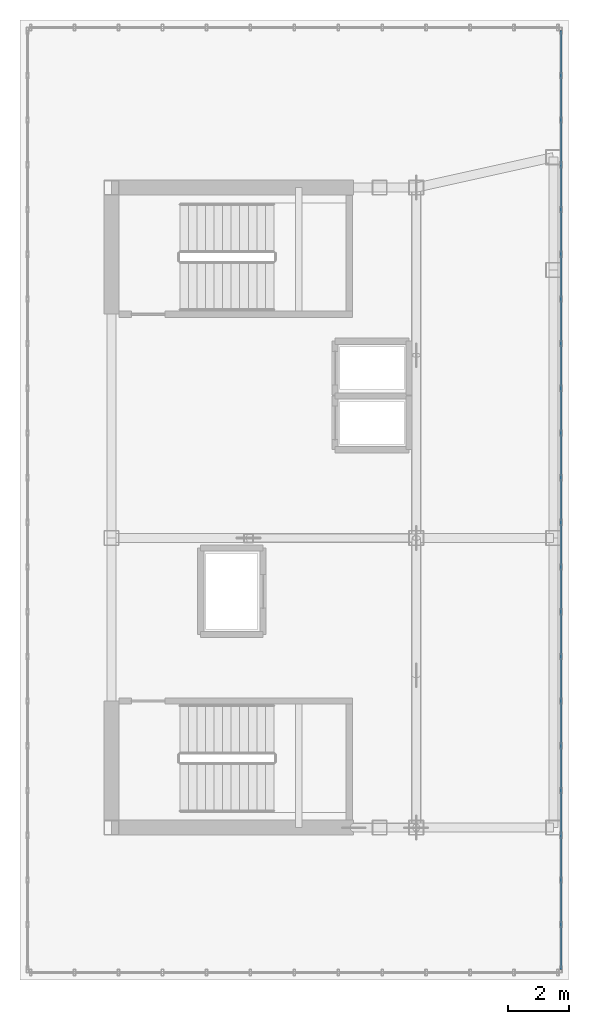
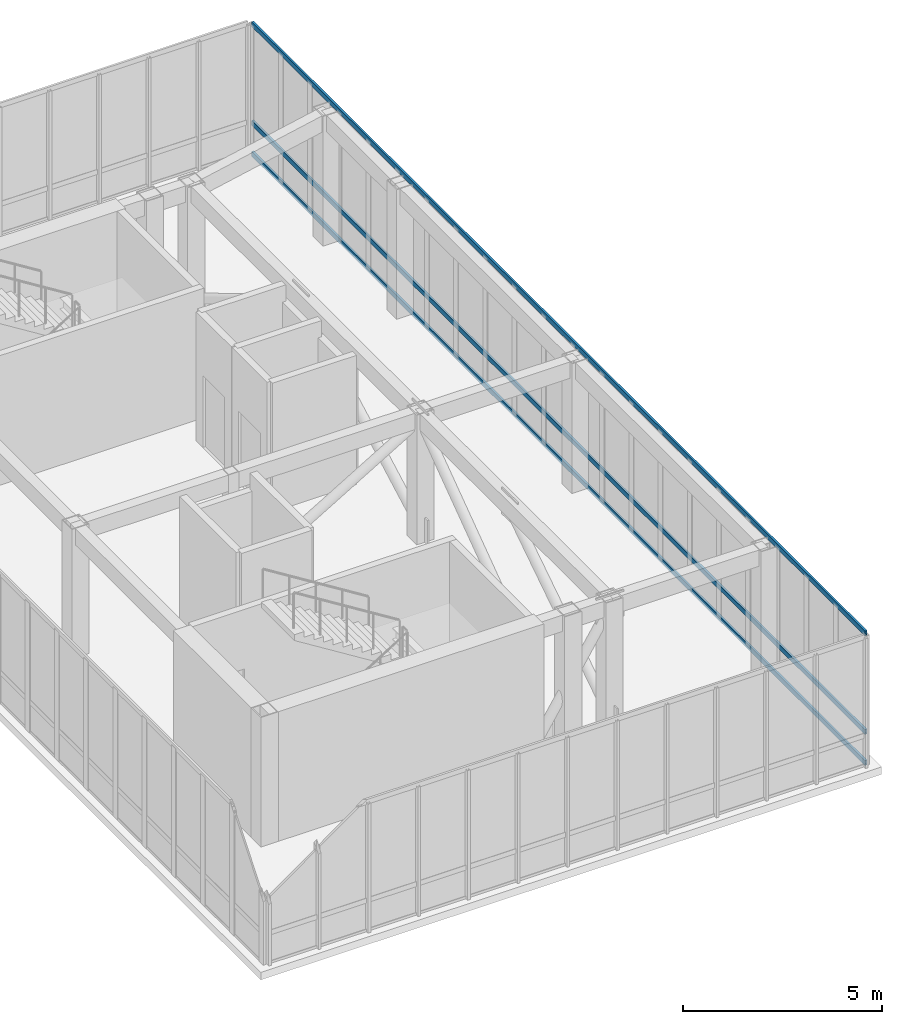
# One storey, part 7 of 13: 3 members, 1 element without a shape of its own.
"""IFC4 building model written with IfcOpenShell, lengths in metres."""

from ifc_helpers import new_model, si_unit, direction, frame, origin, origin_2d, place, context, subcontext, project, spatial, hollow_rectangle, extrude, source, transform, mapped, material, layer, layer_set, material_profile, profile_set, type_object, element, aggregate, save


model = new_model("IFC4")

# Units and contexts
model_context = context("Model", 3, precision=1e-05, world=origin(), true_north=direction((0.0, 1.0)))
body_context = subcontext(model_context, "Body", "Model", "MODEL_VIEW")
ifc_project = project(units=[si_unit("LENGTHUNIT", "METRE"), si_unit("AREAUNIT", "SQUARE_METRE"), si_unit("VOLUMEUNIT", "CUBIC_METRE"), si_unit("PLANEANGLEUNIT", "RADIAN"), si_unit("MASSUNIT", "GRAM", prefix="KILO")], contexts=[model_context])

# Site, building, storey
site_placement = place(None, origin())
site = spatial("IfcSite", under=ifc_project, at=site_placement, CompositionType="ELEMENT")
building_placement = place(site_placement, origin())
building = spatial("IfcBuilding", under=site, at=building_placement, Name="Kharzan Plaza Tower", CompositionType="ELEMENT")
storey_placement = place(building_placement, frame((0.0, 0.0, 281.39990234375)))
storey = spatial("IfcBuildingStorey", under=building, at=storey_placement, Name="L76-CROWN", CompositionType="ELEMENT", Elevation=281.39990234375)

# Curtain wall, members
ifc_material_1 = material(Name="Unitised Bronze-Anodized Aluminium and Low-E Glass", Category="aluminium")
ifc_layer = layer(ifc_material_1, 0.199951171875)
ifc_layer_set = layer_set([ifc_layer], Name="Unitised Bronze-Anodized Aluminium and Low-E Glass")
curtain_wall_type = type_object("IfcCurtainWallType", Name="CW-LANTERN-6", PredefinedType="NOTDEFINED", material=ifc_layer_set)
curtain_wall_placement = place(storey_placement, origin())
curtain_wall = element("IfcCurtainWall", 1, at=curtain_wall_placement, inside=storey, type_object=curtain_wall_type, Name="L76-CROWN Lantern Crown Illuminated Curtain Wall 2", PredefinedType="NOTDEFINED")
ifc_material_2 = material(Name="Anodized Bronze Aluminium", Category="aluminium")
ifc_material_profile = material_profile(ifc_material_2, hollow_rectangle(XDim=0.06005859375, YDim=0.14990234375, WallThickness=0.00341796875, at=origin_2d()), Name="ALU-T150x60x3.5")
ifc_profile_set = profile_set([ifc_material_profile], Name="Anodized Bronze Aluminium")
member_type = type_object("IfcMemberType", Name="MEM-CW-TRN150", PredefinedType="USERDEFINED", material=ifc_profile_set)
shared_shape = source(origin(), body_context, "Body", "SweptSolid", [
    extrude(hollow_rectangle(XDim=0.06005859375, YDim=0.14990234375, WallThickness=0.00341796875, at=origin_2d()), origin(), (0.0, 0.0, 1.0), 30.7998046875),
])
member_1_placement = place(storey_placement, frame((19.25, 3.85009765625, 0.0), z_axis=(0.0, 1.0, 0.0), x_axis=(-1.0, 0.0, 0.0)))
member_1 = element("IfcMember", 2, at=member_1_placement, type_object=member_type, Name="L76-CROWN Curtain-Wall Transom 1", ObjectType="TRANSOM", PredefinedType="USERDEFINED", context=body_context, shape_type="MappedRepresentation", body=[
    mapped(shared_shape, transform((0.0, 0.0, 0.0), x_axis=(1.0, 0.0, 0.0), y_axis=(0.0, 1.0, 0.0), z_axis=(0.0, 0.0, 1.0))),
])
member_2_placement = place(storey_placement, frame((19.25, 3.85009765625, 0.9501953125), z_axis=(0.0, 1.0, 0.0), x_axis=(-1.0, 0.0, 0.0)))
member_2 = element("IfcMember", 3, at=member_2_placement, type_object=member_type, Name="L76-CROWN Curtain-Wall Transom 2", ObjectType="TRANSOM", PredefinedType="USERDEFINED", context=body_context, shape_type="MappedRepresentation", body=[
    mapped(shared_shape, transform((0.0, 0.0, 0.0), x_axis=(1.0, 0.0, 0.0), y_axis=(0.0, 1.0, 0.0), z_axis=(0.0, 0.0, 1.0))),
])
member_3_placement = place(storey_placement, frame((19.25, 3.85009765625, 3.97021484375), z_axis=(0.0, 1.0, 0.0), x_axis=(-1.0, 0.0, 0.0)))
member_3 = element("IfcMember", 4, at=member_3_placement, type_object=member_type, Name="L76-CROWN Curtain-Wall Transom 3", ObjectType="TRANSOM", PredefinedType="USERDEFINED", context=body_context, shape_type="MappedRepresentation", body=[
    mapped(shared_shape, transform((0.0, 0.0, 0.0), x_axis=(1.0, 0.0, 0.0), y_axis=(0.0, 1.0, 0.0), z_axis=(0.0, 0.0, 1.0))),
])
aggregate(curtain_wall, [member_1, member_2, member_3])

save(model, "model.ifc")
